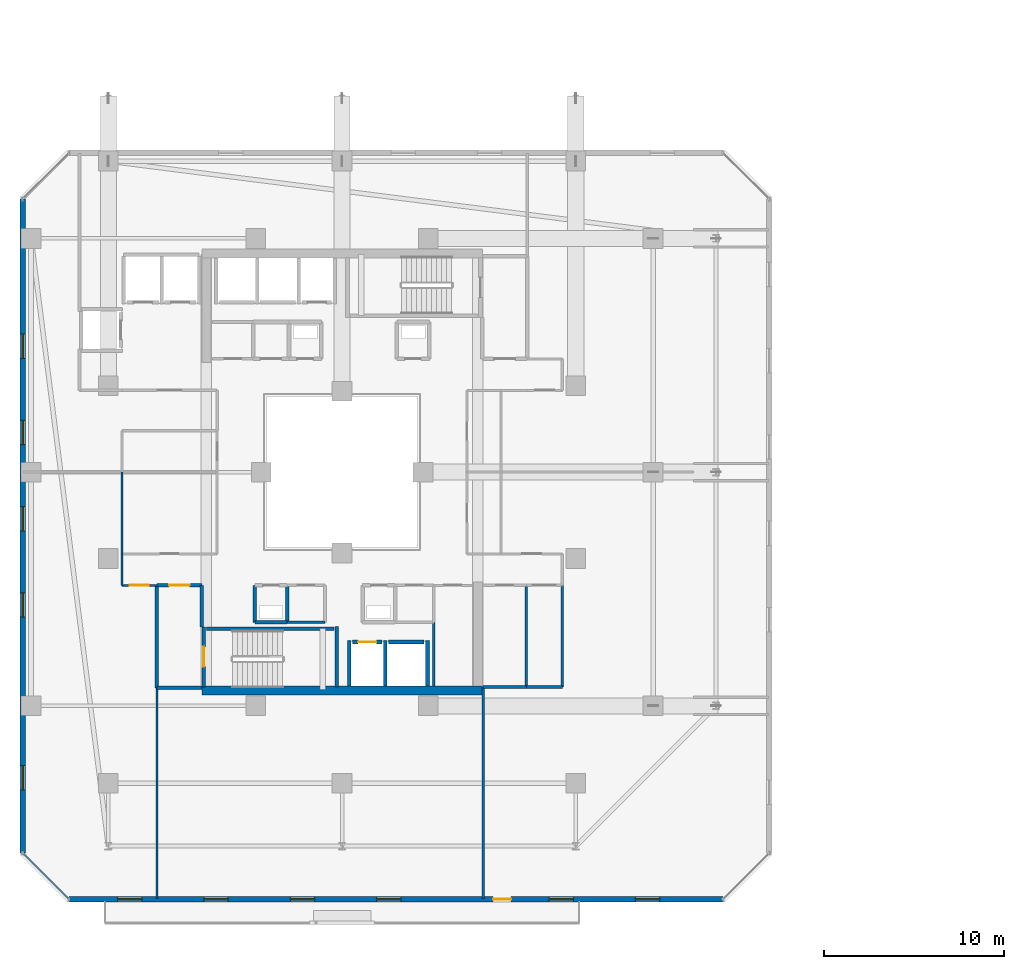
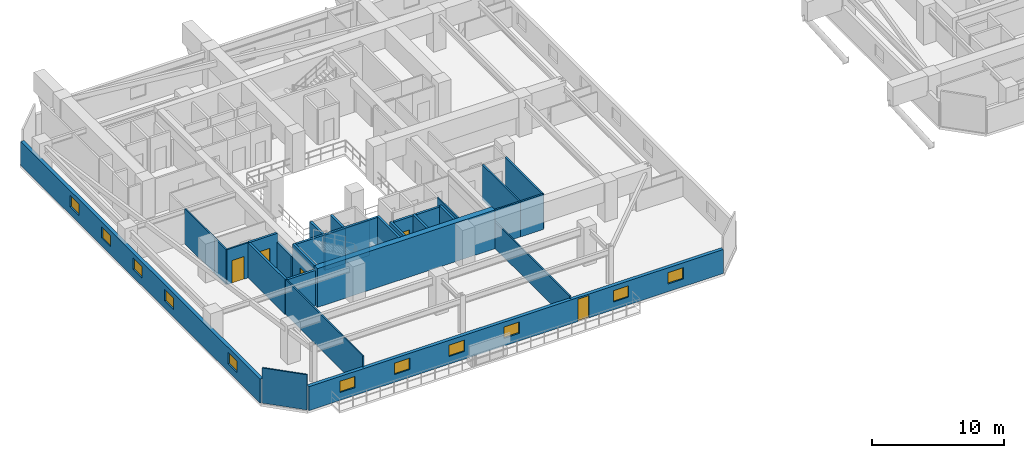
# One storey, part 22 of 36: 30 walls, 11 windows, 5 doors, 16 openings.
"""IFC4 building model written with IfcOpenShell, lengths in metres."""

from ifc_helpers import new_model, si_unit, direction, frame, frame_2d, origin, place, context, subcontext, project, spatial, rectangle, extrude, material, layer, layer_set, type_object, element, fill, save


model = new_model("IFC4")

# Units and contexts
model_context = context("Model", 3, precision=1e-05, world=origin(), true_north=direction((0.0, 1.0)))
body_context = subcontext(model_context, "Body", "Model", "MODEL_VIEW")
ifc_project = project(units=[si_unit("LENGTHUNIT", "METRE"), si_unit("AREAUNIT", "SQUARE_METRE"), si_unit("VOLUMEUNIT", "CUBIC_METRE"), si_unit("PLANEANGLEUNIT", "RADIAN"), si_unit("MASSUNIT", "GRAM", prefix="KILO")], contexts=[model_context])

# Site, building, storey
site_placement = place(None, origin())
site = spatial("IfcSite", under=ifc_project, at=site_placement, CompositionType="ELEMENT")
building_placement = place(site_placement, origin())
building = spatial("IfcBuilding", under=site, at=building_placement, Name="Thornwick Lancets Civic Towers", CompositionType="ELEMENT")
storey_placement = place(building_placement, frame((0.0, 0.0, 170.699951171875)))
storey = spatial("IfcBuildingStorey", under=building, at=storey_placement, Name="L45", CompositionType="ELEMENT", Elevation=170.699951171875)

# Wall, opening, door
ifc_material_1 = material(Name="Concrete blockwork C40/50", Category="masonry")
ifc_layer_1 = layer(ifc_material_1, 0.199951171875, Name="Concrete blockwork C40/50")
ifc_layer_set_1 = layer_set([ifc_layer_1], Name="Concrete blockwork C40/50")
wall_type_1 = type_object("IfcWallType", Name="WALL_COMP_200", PredefinedType="STANDARD", material=ifc_layer_set_1)
wall_1_placement = place(storey_placement, frame((26.080078125, 17.550048828125, 0.0), z_axis=(0.0, 0.0, 1.0), x_axis=(1.0, 0.0, 0.0)))
wall_1 = element("IfcWall", 1, at=wall_1_placement, inside=storey, type_object=wall_type_1, Name="L45 Hoistway Front Wall FL-A1", PredefinedType="STANDARD", context=body_context, shape_type="SweptSolid", body=[
    extrude(rectangle(XDim=1.639892578125, YDim=0.199951171875, at=frame_2d((0.81982421875, 0.0))), origin(), (0.0, 0.0, 1.0), 3.260009765625),
])
opening_1_placement = place(wall_1_placement, frame((0.31005859375, 0.0, 0.0)))
opening_1 = element("IfcOpeningElement", 2, at=opening_1_placement, cuts=wall_1, Name="Opening LD-FL-A1", PredefinedType="OPENING", context=body_context, shape_type="SweptSolid", body=[
    extrude(rectangle(XDim=1.02001953125, YDim=2.06005859375, at=frame_2d((0.510009765625, 1.030029296875))), frame((0.0, 0.10986328125, 0.0), z_axis=(0.0, -1.0, 0.0), x_axis=(1.0, 0.0, 0.0)), (0.0, 0.0, 1.0), 0.219970703125),
])
ifc_material_2 = material(Name="Brushed bronze stainless steel", Category="steel")
door_type_1 = type_object("IfcDoorType", Name="DOOR_LIFT_SLIDE", OperationType="SLIDING_TO_LEFT", PredefinedType="DOOR", material=ifc_material_2)
door_1_placement = place(opening_1_placement, origin())
door_1 = element("IfcDoor", 3, at=door_1_placement, inside=storey, type_object=door_type_1, Name="L45 Sliding Lift Landing Door LD-FL-A1", OperationType="SLIDING_TO_LEFT", OverallHeight=2.06005859375, OverallWidth=1.02001953125, PredefinedType="DOOR", context=body_context, shape_type="SweptSolid", body=[
    extrude(rectangle(XDim=1.02001953125, YDim=2.06005859375, at=frame_2d((0.510009765625, 1.030029296875))), frame((0.0, 0.02490234375, 0.0), z_axis=(0.0, -1.0, 0.0), x_axis=(1.0, 0.0, 0.0)), (0.0, 0.0, 1.0), 0.050048828125),
])
fill(opening_1, door_1)

# Walls
wall_2_placement = place(storey_placement, frame((28.080078125, 17.550048828125, 0.0), z_axis=(0.0, 0.0, 1.0), x_axis=(1.0, 0.0, 0.0)))
element("IfcWall", 4, at=wall_2_placement, inside=storey, type_object=wall_type_1, Name="L45 Hoistway Front Wall PL-AH1", PredefinedType="STANDARD", context=body_context, shape_type="SweptSolid", body=[
    extrude(rectangle(XDim=1.989990234375, YDim=0.199951171875, at=frame_2d((0.9951171875, 0.0))), origin(), (0.0, 0.0, 1.0), 3.260009765625),
])
for number, where, z_axis, x_axis, name in (
    (5, (27.89990234375, 15.112060546875, 0.0), (0.0, 0.0, 1.0), (0.0, 1.0, 0.0), "L45 Hoistway Shaft Wall FL-A1 E"),
    (6, (25.89990234375, 15.112060546875, 0.0), (0.0, 0.0, 1.0), (0.0, 1.0, 0.0), "L45 Hoistway Shaft Wall FL-A1 W"),
    (7, (30.25, 15.112060546875, 0.0), (0.0, 0.0, 1.0), (0.0, 1.0, 0.0), "L45 Hoistway Shaft Wall PL-AH1 E"),
):
    element("IfcWall", number, at=place(storey_placement, frame(where, z_axis=z_axis, x_axis=x_axis)), inside=storey, type_object=wall_type_1, Name=name, PredefinedType="STANDARD", context=body_context, shape_type="SweptSolid", body=[
        extrude(rectangle(XDim=2.535888671875, YDim=0.199951171875, at=frame_2d((1.26806640625, 0.0))), origin(), (0.0, 0.0, 1.0), 3.260009765625),
    ])
wall_3_placement = place(storey_placement, frame((15.199951171875, 15.0, 0.0), z_axis=(0.0, 0.0, 1.0), x_axis=(1.0, 0.0, 0.0)))
element("IfcWall", 8, at=wall_3_placement, inside=storey, type_object=wall_type_1, Name="L45 Partition L45-A-FFLOB1 E1", PredefinedType="STANDARD", context=body_context, shape_type="SweptSolid", body=[
    extrude(rectangle(XDim=2.5, YDim=0.199951171875, at=frame_2d((1.25, 0.0))), origin(), (0.0, 0.0, 1.0), 3.260009765625),
])
wall_4_placement = place(storey_placement, frame((17.699951171875, 18.39990234375, 0.0), z_axis=(0.0, 0.0, 1.0), x_axis=(0.0, 1.0, 0.0)))
element("IfcWall", 9, at=wall_4_placement, inside=storey, type_object=wall_type_1, Name="L45 Partition L45-A-FFLOB1 E2", PredefinedType="STANDARD", context=body_context, shape_type="SweptSolid", body=[
    extrude(rectangle(XDim=2.300048828125, YDim=0.199951171875, at=frame_2d((1.14990234375, 0.0))), origin(), (0.0, 0.0, 1.0), 2.465087890625),
])

# Wall, opening, door
wall_5_placement = place(storey_placement, frame((17.699951171875, 20.699951171875, 0.0), z_axis=(0.0, 0.0, 1.0), x_axis=(-1.0, 0.0, 0.0)))
wall_5 = element("IfcWall", 10, at=wall_5_placement, inside=storey, type_object=wall_type_1, Name="L45 Partition L45-A-FFLOB1 E3", PredefinedType="STANDARD", context=body_context, shape_type="SweptSolid", body=[
    extrude(rectangle(XDim=2.5, YDim=0.199951171875, at=frame_2d((1.25, 0.0))), origin(), (0.0, 0.0, 1.0), 3.260009765625),
])
opening_2_placement = place(wall_5_placement, frame((0.675048828125, 0.0, 0.0)))
opening_2 = element("IfcOpeningElement", 11, at=opening_2_placement, cuts=wall_5, Name="Opening D-L45-2003", PredefinedType="OPENING", context=body_context, shape_type="SweptSolid", body=[
    extrude(rectangle(XDim=1.14990234375, YDim=2.10009765625, at=frame_2d((0.574951171875, 1.050048828125))), frame((0.0, 0.10986328125, 0.0), z_axis=(0.0, -1.0, 0.0), x_axis=(1.0, 0.0, 0.0)), (0.0, 0.0, 1.0), 0.219970703125),
])
ifc_material_3 = material(Name="Glazed fire-resisting steel", Category="steel")
door_type_2 = type_object("IfcDoorType", Name="DOOR_LOBBY_FD60", OperationType="NOTDEFINED", PredefinedType="DOOR", material=ifc_material_3)
door_2_placement = place(opening_2_placement, origin())
door_2 = element("IfcDoor", 12, at=door_2_placement, inside=storey, type_object=door_type_2, Name="L45 South Firefighting Lobby 1 Door", OperationType="SINGLE_SWING_RIGHT", OverallHeight=2.10009765625, OverallWidth=1.14990234375, PredefinedType="DOOR", context=body_context, shape_type="SweptSolid", body=[
    extrude(rectangle(XDim=1.14990234375, YDim=2.10009765625, at=frame_2d((0.574951171875, 1.050048828125))), frame((0.0, 0.02490234375, 0.0), z_axis=(0.0, -1.0, 0.0), x_axis=(1.0, 0.0, 0.0)), (0.0, 0.0, 1.0), 0.050048828125),
])
fill(opening_2, door_2)

# Walls
wall_6_placement = place(storey_placement, frame((15.199951171875, 20.699951171875, 0.0), z_axis=(0.0, 0.0, 1.0), x_axis=(0.0, -1.0, 0.0)))
element("IfcWall", 13, at=wall_6_placement, inside=storey, type_object=wall_type_1, Name="L45 Partition L45-A-FFLOB1 E4", PredefinedType="STANDARD", context=body_context, shape_type="SweptSolid", body=[
    extrude(rectangle(XDim=5.699951171875, YDim=0.199951171875, at=frame_2d((2.85009765625, 0.0))), origin(), (0.0, 0.0, 1.0), 3.260009765625),
])
wall_7_placement = place(storey_placement, frame((20.64990234375, 18.64990234375, 0.0), z_axis=(0.0, 0.0, 1.0), x_axis=(1.0, 0.0, 0.0)))
element("IfcWall", 14, at=wall_7_placement, inside=storey, type_object=wall_type_1, Name="L45 Partition L45-A-RISER1 E1", PredefinedType="STANDARD", context=body_context, shape_type="SweptSolid", body=[
    extrude(rectangle(XDim=1.800048828125, YDim=0.199951171875, at=frame_2d((0.89990234375, 0.0))), origin(), (0.0, 0.0, 1.0), 3.260009765625),
])
for number, where, z_axis, x_axis, name in (
    (15, (22.449951171875, 18.64990234375, 0.0), (0.0, 0.0, 1.0), (0.0, 1.0, 0.0), "L45 Partition L45-A-RISER1 E2"),
    (16, (20.64990234375, 20.699951171875, 0.0), (0.0, 0.0, 1.0), (0.0, -1.0, 0.0), "L45 Partition L45-A-RISER1 E4"),
):
    element("IfcWall", number, at=place(storey_placement, frame(where, z_axis=z_axis, x_axis=x_axis)), inside=storey, type_object=wall_type_1, Name=name, PredefinedType="STANDARD", context=body_context, shape_type="SweptSolid", body=[
        extrude(rectangle(XDim=2.050048828125, YDim=0.199951171875, at=frame_2d((1.02490234375, 0.0))), origin(), (0.0, 0.0, 1.0), 3.260009765625),
    ])
ifc_material_4 = material(Name="Concrete C50/60", Category="concrete")
ifc_layer_2 = layer(ifc_material_4, 0.5, Name="Concrete C50/60")
ifc_layer_set_2 = layer_set([ifc_layer_2], Name="Concrete C50/60")
wall_type_2 = type_object("IfcWallType", Name="WALL_CORE_500", PredefinedType="SHEAR", material=ifc_layer_set_2)
wall_8_placement = place(storey_placement, frame((17.699951171875, 14.85009765625, 0.0), z_axis=(0.0, 0.0, 1.0), x_axis=(1.0, 0.0, 0.0)))
element("IfcWall", 17, at=wall_8_placement, inside=storey, type_object=wall_type_2, Name="L45 Split Core A1 Shear Wall S", PredefinedType="SHEAR", context=body_context, shape_type="SweptSolid", body=[
    extrude(rectangle(XDim=15.60009765625, YDim=0.5, at=frame_2d((7.800048828125, 0.0))), origin(), (0.0, 0.0, 1.0), 3.60009765625),
])

# Wall, openings, door, windows
ifc_material_5 = material(Name="Insulated russet terracotta rainscreen on concrete C40/50", Category="masonry")
ifc_layer_3 = layer(ifc_material_5, 0.300048828125, Name="Insulated russet terracotta rainscreen on concrete C40/50")
ifc_layer_set_3 = layer_set([ifc_layer_3], Name="Insulated russet terracotta rainscreen on concrete C40/50")
wall_type_3 = type_object("IfcWallType", Name="WALL_EXT_RUSSET_300", PredefinedType="STANDARD", material=ifc_layer_set_3)
wall_9_placement = place(storey_placement, frame((10.318603515625, 3.2353515625, 0.0), z_axis=(0.0, 0.0, 1.0), x_axis=(1.0, 0.0, 0.0)))
wall_9 = element("IfcWall", 18, at=wall_9_placement, inside=storey, type_object=wall_type_3, Name="L45 Tower A Terracotta Facade Wall E0", PredefinedType="STANDARD", context=body_context, shape_type="SweptSolid", body=[
    extrude(rectangle(XDim=36.36279296875, YDim=0.300048828125, at=frame_2d((18.181396484375, 0.0))), origin(), (0.0, 0.0, 1.0), 2.219970703125),
])
opening_3_placement = place(wall_9_placement, frame((23.581298828125, 0.0, 0.0)))
opening_3 = element("IfcOpeningElement", 19, at=opening_3_placement, cuts=wall_9, Name="Opening D-BL-L45-AS", PredefinedType="OPENING", context=body_context, shape_type="SweptSolid", body=[
    extrude(rectangle(XDim=1.0, YDim=2.080078125, at=frame_2d((0.5, 1.0400390625))), frame((0.0, 0.16015625, 0.0), z_axis=(0.0, -1.0, 0.0), x_axis=(1.0, 0.0, 0.0)), (0.0, 0.0, 1.0), 0.320068359375),
])
opening_4_placement = place(wall_9_placement, frame((2.699951171875, 0.0, 0.719970703125)))
opening_4 = element("IfcOpeningElement", 20, at=opening_4_placement, cuts=wall_9, Name="Opening WL-03", PredefinedType="OPENING", context=body_context, shape_type="SweptSolid", body=[
    extrude(rectangle(XDim=1.35009765625, YDim=1.050048828125, at=frame_2d((0.675048828125, 0.52490234375))), frame((0.0, 0.16015625, 0.0), z_axis=(0.0, -1.0, 0.0), x_axis=(1.0, 0.0, 0.0)), (0.0, 0.0, 1.0), 0.320068359375),
])
opening_5_placement = place(wall_9_placement, frame((7.5, 0.0, 0.719970703125)))
opening_5 = element("IfcOpeningElement", 21, at=opening_5_placement, cuts=wall_9, Name="Opening WL-03", PredefinedType="OPENING", context=body_context, shape_type="SweptSolid", body=[
    extrude(rectangle(XDim=1.35009765625, YDim=1.050048828125, at=frame_2d((0.675048828125, 0.52490234375))), frame((0.0, 0.16015625, 0.0), z_axis=(0.0, -1.0, 0.0), x_axis=(1.0, 0.0, 0.0)), (0.0, 0.0, 1.0), 0.320068359375),
])
opening_6_placement = place(wall_9_placement, frame((12.300048828125, 0.0, 0.719970703125)))
opening_6 = element("IfcOpeningElement", 22, at=opening_6_placement, cuts=wall_9, Name="Opening WL-03", PredefinedType="OPENING", context=body_context, shape_type="SweptSolid", body=[
    extrude(rectangle(XDim=1.35009765625, YDim=1.050048828125, at=frame_2d((0.675048828125, 0.52490234375))), frame((0.0, 0.16015625, 0.0), z_axis=(0.0, -1.0, 0.0), x_axis=(1.0, 0.0, 0.0)), (0.0, 0.0, 1.0), 0.320068359375),
])
opening_7_placement = place(wall_9_placement, frame((17.10009765625, 0.0, 0.719970703125)))
opening_7 = element("IfcOpeningElement", 23, at=opening_7_placement, cuts=wall_9, Name="Opening WL-03", PredefinedType="OPENING", context=body_context, shape_type="SweptSolid", body=[
    extrude(rectangle(XDim=1.35009765625, YDim=1.050048828125, at=frame_2d((0.675048828125, 0.52490234375))), frame((0.0, 0.16015625, 0.0), z_axis=(0.0, -1.0, 0.0), x_axis=(1.0, 0.0, 0.0)), (0.0, 0.0, 1.0), 0.320068359375),
])
opening_8_placement = place(wall_9_placement, frame((26.699951171875, 0.0, 0.719970703125)))
opening_8 = element("IfcOpeningElement", 24, at=opening_8_placement, cuts=wall_9, Name="Opening WL-03", PredefinedType="OPENING", context=body_context, shape_type="SweptSolid", body=[
    extrude(rectangle(XDim=1.35009765625, YDim=1.050048828125, at=frame_2d((0.675048828125, 0.52490234375))), frame((0.0, 0.16015625, 0.0), z_axis=(0.0, -1.0, 0.0), x_axis=(1.0, 0.0, 0.0)), (0.0, 0.0, 1.0), 0.320068359375),
])
opening_9_placement = place(wall_9_placement, frame((31.5, 0.0, 0.719970703125)))
opening_9 = element("IfcOpeningElement", 25, at=opening_9_placement, cuts=wall_9, Name="Opening WL-03", PredefinedType="OPENING", context=body_context, shape_type="SweptSolid", body=[
    extrude(rectangle(XDim=1.35009765625, YDim=1.050048828125, at=frame_2d((0.675048828125, 0.52490234375))), frame((0.0, 0.16015625, 0.0), z_axis=(0.0, -1.0, 0.0), x_axis=(1.0, 0.0, 0.0)), (0.0, 0.0, 1.0), 0.320068359375),
])
ifc_material_6 = material(Name="Thermally broken glazed loggia doorset")
door_type_3 = type_object("IfcDoorType", Name="DOOR_BALC_1000", OperationType="NOTDEFINED", PredefinedType="DOOR", material=ifc_material_6)
door_3_placement = place(opening_3_placement, origin())
door_3 = element("IfcDoor", 26, at=door_3_placement, inside=storey, type_object=door_type_3, Name="L45 Tower A Loggia Balcony Door S", OperationType="SINGLE_SWING_RIGHT", OverallHeight=2.080078125, OverallWidth=1.0, PredefinedType="DOOR", context=body_context, shape_type="SweptSolid", body=[
    extrude(rectangle(XDim=1.0, YDim=2.080078125, at=frame_2d((0.5, 1.0400390625))), frame((0.0, 0.02490234375, 0.0), z_axis=(0.0, -1.0, 0.0), x_axis=(1.0, 0.0, 0.0)), (0.0, 0.0, 1.0), 0.050048828125),
])
fill(opening_3, door_3)
ifc_material_7 = material(Name="Clear low-e double glazing clerestory lancet", Category="glass")
window_type = type_object("IfcWindowType", Name="WIN_LANCET_1350", PartitioningType="SINGLE_PANEL", PredefinedType="WINDOW", material=ifc_material_7)
window_1_placement = place(opening_4_placement, origin())
window_1 = element("IfcWindow", 27, at=window_1_placement, inside=storey, type_object=window_type, Name="L45 Tower A Staggered Lancet Window E0-1", OverallHeight=1.050048828125, OverallWidth=1.35009765625, PartitioningType="SINGLE_PANEL", PredefinedType="WINDOW", context=body_context, shape_type="SweptSolid", body=[
    extrude(rectangle(XDim=1.35009765625, YDim=1.050048828125, at=frame_2d((0.675048828125, 0.52490234375))), frame((0.0, 0.030029296875, 0.0), z_axis=(0.0, -1.0, 0.0), x_axis=(1.0, 0.0, 0.0)), (0.0, 0.0, 1.0), 0.06005859375),
])
fill(opening_4, window_1)
window_2_placement = place(opening_5_placement, origin())
window_2 = element("IfcWindow", 28, at=window_2_placement, inside=storey, type_object=window_type, Name="L45 Tower A Staggered Lancet Window E0-2", OverallHeight=1.050048828125, OverallWidth=1.35009765625, PartitioningType="SINGLE_PANEL", PredefinedType="WINDOW", context=body_context, shape_type="SweptSolid", body=[
    extrude(rectangle(XDim=1.35009765625, YDim=1.050048828125, at=frame_2d((0.675048828125, 0.52490234375))), frame((0.0, 0.030029296875, 0.0), z_axis=(0.0, -1.0, 0.0), x_axis=(1.0, 0.0, 0.0)), (0.0, 0.0, 1.0), 0.06005859375),
])
fill(opening_5, window_2)
window_3_placement = place(opening_6_placement, origin())
window_3 = element("IfcWindow", 29, at=window_3_placement, inside=storey, type_object=window_type, Name="L45 Tower A Staggered Lancet Window E0-3", OverallHeight=1.050048828125, OverallWidth=1.35009765625, PartitioningType="SINGLE_PANEL", PredefinedType="WINDOW", context=body_context, shape_type="SweptSolid", body=[
    extrude(rectangle(XDim=1.35009765625, YDim=1.050048828125, at=frame_2d((0.675048828125, 0.52490234375))), frame((0.0, 0.030029296875, 0.0), z_axis=(0.0, -1.0, 0.0), x_axis=(1.0, 0.0, 0.0)), (0.0, 0.0, 1.0), 0.06005859375),
])
fill(opening_6, window_3)
window_4_placement = place(opening_7_placement, origin())
window_4 = element("IfcWindow", 30, at=window_4_placement, inside=storey, type_object=window_type, Name="L45 Tower A Staggered Lancet Window E0-4", OverallHeight=1.050048828125, OverallWidth=1.35009765625, PartitioningType="SINGLE_PANEL", PredefinedType="WINDOW", context=body_context, shape_type="SweptSolid", body=[
    extrude(rectangle(XDim=1.35009765625, YDim=1.050048828125, at=frame_2d((0.675048828125, 0.52490234375))), frame((0.0, 0.030029296875, 0.0), z_axis=(0.0, -1.0, 0.0), x_axis=(1.0, 0.0, 0.0)), (0.0, 0.0, 1.0), 0.06005859375),
])
fill(opening_7, window_4)
window_5_placement = place(opening_8_placement, origin())
window_5 = element("IfcWindow", 31, at=window_5_placement, inside=storey, type_object=window_type, Name="L45 Tower A Staggered Lancet Window E0-5", OverallHeight=1.050048828125, OverallWidth=1.35009765625, PartitioningType="SINGLE_PANEL", PredefinedType="WINDOW", context=body_context, shape_type="SweptSolid", body=[
    extrude(rectangle(XDim=1.35009765625, YDim=1.050048828125, at=frame_2d((0.675048828125, 0.52490234375))), frame((0.0, 0.030029296875, 0.0), z_axis=(0.0, -1.0, 0.0), x_axis=(1.0, 0.0, 0.0)), (0.0, 0.0, 1.0), 0.06005859375),
])
fill(opening_8, window_5)
window_6_placement = place(opening_9_placement, origin())
window_6 = element("IfcWindow", 32, at=window_6_placement, inside=storey, type_object=window_type, Name="L45 Tower A Staggered Lancet Window E0-6", OverallHeight=1.050048828125, OverallWidth=1.35009765625, PartitioningType="SINGLE_PANEL", PredefinedType="WINDOW", context=body_context, shape_type="SweptSolid", body=[
    extrude(rectangle(XDim=1.35009765625, YDim=1.050048828125, at=frame_2d((0.675048828125, 0.52490234375))), frame((0.0, 0.030029296875, 0.0), z_axis=(0.0, -1.0, 0.0), x_axis=(1.0, 0.0, 0.0)), (0.0, 0.0, 1.0), 0.06005859375),
])
fill(opening_9, window_6)

# Wall, openings, windows
wall_10_placement = place(storey_placement, frame((7.7353515625, 42.181396484375, 0.0), z_axis=(0.0, 0.0, 1.0), x_axis=(0.0, -1.0, 0.0)))
wall_10 = element("IfcWall", 33, at=wall_10_placement, inside=storey, type_object=wall_type_3, Name="L45 Tower A Terracotta Facade Wall E6", PredefinedType="STANDARD", context=body_context, shape_type="SweptSolid", body=[
    extrude(rectangle(XDim=36.36279296875, YDim=0.300048828125, at=frame_2d((18.181396484375, 0.0))), origin(), (0.0, 0.0, 1.0), 2.219970703125),
])
opening_10_placement = place(wall_10_placement, frame((7.5, 0.0, 0.719970703125)))
opening_10 = element("IfcOpeningElement", 34, at=opening_10_placement, cuts=wall_10, Name="Opening WL-03", PredefinedType="OPENING", context=body_context, shape_type="SweptSolid", body=[
    extrude(rectangle(XDim=1.35009765625, YDim=1.050048828125, at=frame_2d((0.675048828125, 0.52490234375))), frame((0.0, 0.16015625, 0.0), z_axis=(0.0, -1.0, 0.0), x_axis=(1.0, 0.0, 0.0)), (0.0, 0.0, 1.0), 0.320068359375),
])
opening_11_placement = place(wall_10_placement, frame((12.300048828125, 0.0, 0.719970703125)))
opening_11 = element("IfcOpeningElement", 35, at=opening_11_placement, cuts=wall_10, Name="Opening WL-03", PredefinedType="OPENING", context=body_context, shape_type="SweptSolid", body=[
    extrude(rectangle(XDim=1.35009765625, YDim=1.050048828125, at=frame_2d((0.675048828125, 0.52490234375))), frame((0.0, 0.16015625, 0.0), z_axis=(0.0, -1.0, 0.0), x_axis=(1.0, 0.0, 0.0)), (0.0, 0.0, 1.0), 0.320068359375),
])
opening_12_placement = place(wall_10_placement, frame((17.10009765625, 0.0, 0.719970703125)))
opening_12 = element("IfcOpeningElement", 36, at=opening_12_placement, cuts=wall_10, Name="Opening WL-03", PredefinedType="OPENING", context=body_context, shape_type="SweptSolid", body=[
    extrude(rectangle(XDim=1.35009765625, YDim=1.050048828125, at=frame_2d((0.675048828125, 0.52490234375))), frame((0.0, 0.16015625, 0.0), z_axis=(0.0, -1.0, 0.0), x_axis=(1.0, 0.0, 0.0)), (0.0, 0.0, 1.0), 0.320068359375),
])
opening_13_placement = place(wall_10_placement, frame((21.89990234375, 0.0, 0.719970703125)))
opening_13 = element("IfcOpeningElement", 37, at=opening_13_placement, cuts=wall_10, Name="Opening WL-03", PredefinedType="OPENING", context=body_context, shape_type="SweptSolid", body=[
    extrude(rectangle(XDim=1.35009765625, YDim=1.050048828125, at=frame_2d((0.675048828125, 0.52490234375))), frame((0.0, 0.16015625, 0.0), z_axis=(0.0, -1.0, 0.0), x_axis=(1.0, 0.0, 0.0)), (0.0, 0.0, 1.0), 0.320068359375),
])
opening_14_placement = place(wall_10_placement, frame((31.5, 0.0, 0.719970703125)))
opening_14 = element("IfcOpeningElement", 38, at=opening_14_placement, cuts=wall_10, Name="Opening WL-03", PredefinedType="OPENING", context=body_context, shape_type="SweptSolid", body=[
    extrude(rectangle(XDim=1.35009765625, YDim=1.050048828125, at=frame_2d((0.675048828125, 0.52490234375))), frame((0.0, 0.16015625, 0.0), z_axis=(0.0, -1.0, 0.0), x_axis=(1.0, 0.0, 0.0)), (0.0, 0.0, 1.0), 0.320068359375),
])
window_7_placement = place(opening_10_placement, origin())
window_7 = element("IfcWindow", 39, at=window_7_placement, inside=storey, type_object=window_type, Name="L45 Tower A Staggered Lancet Window E6-1", OverallHeight=1.050048828125, OverallWidth=1.35009765625, PartitioningType="SINGLE_PANEL", PredefinedType="WINDOW", context=body_context, shape_type="SweptSolid", body=[
    extrude(rectangle(XDim=1.35009765625, YDim=1.050048828125, at=frame_2d((0.675048828125, 0.52490234375))), frame((0.0, 0.030029296875, 0.0), z_axis=(0.0, -1.0, 0.0), x_axis=(1.0, 0.0, 0.0)), (0.0, 0.0, 1.0), 0.06005859375),
])
fill(opening_10, window_7)
window_8_placement = place(opening_11_placement, origin())
window_8 = element("IfcWindow", 40, at=window_8_placement, inside=storey, type_object=window_type, Name="L45 Tower A Staggered Lancet Window E6-2", OverallHeight=1.050048828125, OverallWidth=1.35009765625, PartitioningType="SINGLE_PANEL", PredefinedType="WINDOW", context=body_context, shape_type="SweptSolid", body=[
    extrude(rectangle(XDim=1.35009765625, YDim=1.050048828125, at=frame_2d((0.675048828125, 0.52490234375))), frame((0.0, 0.030029296875, 0.0), z_axis=(0.0, -1.0, 0.0), x_axis=(1.0, 0.0, 0.0)), (0.0, 0.0, 1.0), 0.06005859375),
])
fill(opening_11, window_8)
window_9_placement = place(opening_12_placement, origin())
window_9 = element("IfcWindow", 41, at=window_9_placement, inside=storey, type_object=window_type, Name="L45 Tower A Staggered Lancet Window E6-3", OverallHeight=1.050048828125, OverallWidth=1.35009765625, PartitioningType="SINGLE_PANEL", PredefinedType="WINDOW", context=body_context, shape_type="SweptSolid", body=[
    extrude(rectangle(XDim=1.35009765625, YDim=1.050048828125, at=frame_2d((0.675048828125, 0.52490234375))), frame((0.0, 0.030029296875, 0.0), z_axis=(0.0, -1.0, 0.0), x_axis=(1.0, 0.0, 0.0)), (0.0, 0.0, 1.0), 0.06005859375),
])
fill(opening_12, window_9)
window_10_placement = place(opening_13_placement, origin())
window_10 = element("IfcWindow", 42, at=window_10_placement, inside=storey, type_object=window_type, Name="L45 Tower A Staggered Lancet Window E6-4", OverallHeight=1.050048828125, OverallWidth=1.35009765625, PartitioningType="SINGLE_PANEL", PredefinedType="WINDOW", context=body_context, shape_type="SweptSolid", body=[
    extrude(rectangle(XDim=1.35009765625, YDim=1.050048828125, at=frame_2d((0.675048828125, 0.52490234375))), frame((0.0, 0.030029296875, 0.0), z_axis=(0.0, -1.0, 0.0), x_axis=(1.0, 0.0, 0.0)), (0.0, 0.0, 1.0), 0.06005859375),
])
fill(opening_13, window_10)
window_11_placement = place(opening_14_placement, origin())
window_11 = element("IfcWindow", 43, at=window_11_placement, inside=storey, type_object=window_type, Name="L45 Tower A Staggered Lancet Window E6-5", OverallHeight=1.050048828125, OverallWidth=1.35009765625, PartitioningType="SINGLE_PANEL", PredefinedType="WINDOW", context=body_context, shape_type="SweptSolid", body=[
    extrude(rectangle(XDim=1.35009765625, YDim=1.050048828125, at=frame_2d((0.675048828125, 0.52490234375))), frame((0.0, 0.030029296875, 0.0), z_axis=(0.0, -1.0, 0.0), x_axis=(1.0, 0.0, 0.0)), (0.0, 0.0, 1.0), 0.06005859375),
])
fill(opening_14, window_11)

# Walls
ifc_material_8 = material(Name="Acoustic gypsum board partition")
ifc_layer_4 = layer(ifc_material_8, 0.1201171875, Name="Acoustic gypsum board partition")
ifc_layer_set_4 = layer_set([ifc_layer_4], Name="Acoustic gypsum board partition")
wall_type_4 = type_object("IfcWallType", Name="WALL_PART_120", PredefinedType="PARTITIONING", material=ifc_layer_set_4)
wall_11_placement = place(storey_placement, frame((30.60009765625, 15.10009765625, 0.0), z_axis=(0.0, 0.0, 1.0), x_axis=(0.0, 1.0, 0.0)))
element("IfcWall", 44, at=wall_11_placement, inside=storey, type_object=wall_type_4, Name="L45 Partition L45-A-ITR E3", PredefinedType="PARTITIONING", context=body_context, shape_type="SweptSolid", body=[
    extrude(rectangle(XDim=3.5498046875, YDim=0.1201171875, at=frame_2d((1.77490234375, 0.0))), origin(), (0.0, 0.0, 1.0), 3.260009765625),
])
wall_12_placement = place(storey_placement, frame((13.25, 27.0, 0.0), z_axis=(0.0, 0.0, 1.0), x_axis=(0.0, -1.0, 0.0)))
element("IfcWall", 45, at=wall_12_placement, inside=storey, type_object=wall_type_4, Name="L45 Partition L45-A-W1 E1", PredefinedType="PARTITIONING", context=body_context, shape_type="SweptSolid", body=[
    extrude(rectangle(XDim=4.550048828125, YDim=0.1201171875, at=frame_2d((2.27490234375, 0.0))), origin(), (0.0, 0.0, 1.0), 3.260009765625),
])
wall_13_placement = place(storey_placement, frame((13.25, 22.449951171875, 0.0), z_axis=(0.0, 0.0, 1.0), x_axis=(0.0, -1.0, 0.0)))
element("IfcWall", 46, at=wall_13_placement, inside=storey, type_object=wall_type_4, Name="L45 Partition L45-A-W1 E2", PredefinedType="PARTITIONING", context=body_context, shape_type="SweptSolid", body=[
    extrude(rectangle(XDim=1.75, YDim=0.1201171875, at=frame_2d((0.875, 0.0))), origin(), (0.0, 0.0, 1.0), 3.260009765625),
])

# Wall, opening, door
wall_14_placement = place(storey_placement, frame((13.25, 20.699951171875, 0.0), z_axis=(0.0, 0.0, 1.0), x_axis=(1.0, 0.0, 0.0)))
wall_14 = element("IfcWall", 47, at=wall_14_placement, inside=storey, type_object=wall_type_4, Name="L45 Partition L45-A-W1 E3", PredefinedType="PARTITIONING", context=body_context, shape_type="SweptSolid", body=[
    extrude(rectangle(XDim=1.949951171875, YDim=0.1201171875, at=frame_2d((0.97509765625, 0.0))), origin(), (0.0, 0.0, 1.0), 3.260009765625),
])
opening_15_placement = place(wall_14_placement, frame((0.449951171875, 0.0, 0.0)))
opening_15 = element("IfcOpeningElement", 48, at=opening_15_placement, cuts=wall_14, Name="Opening D-L45-2027", PredefinedType="OPENING", context=body_context, shape_type="SweptSolid", body=[
    extrude(rectangle(XDim=1.050048828125, YDim=2.10009765625, at=frame_2d((0.52490234375, 1.050048828125))), frame((0.0, 0.070068359375, 0.0), z_axis=(0.0, -1.0, 0.0), x_axis=(1.0, 0.0, 0.0)), (0.0, 0.0, 1.0), 0.14013671875),
])
ifc_material_9 = material(Name="Glazed European oak executive doorset")
door_type_4 = type_object("IfcDoorType", Name="DOOR_OFFICE_1050", OperationType="NOTDEFINED", PredefinedType="DOOR", material=ifc_material_9)
door_4_placement = place(opening_15_placement, origin())
door_4 = element("IfcDoor", 49, at=door_4_placement, inside=storey, type_object=door_type_4, Name="L45 Tower A Ministry Directorate Office W1 Door", OperationType="SINGLE_SWING_RIGHT", OverallHeight=2.10009765625, OverallWidth=1.050048828125, PredefinedType="DOOR", context=body_context, shape_type="SweptSolid", body=[
    extrude(rectangle(XDim=1.050048828125, YDim=2.10009765625, at=frame_2d((0.52490234375, 1.050048828125))), frame((0.0, 0.02490234375, 0.0), z_axis=(0.0, -1.0, 0.0), x_axis=(1.0, 0.0, 0.0)), (0.0, 0.0, 1.0), 0.050048828125),
])
fill(opening_15, door_4)

# Walls
wall_15_placement = place(storey_placement, frame((15.199951171875, 15.0, 0.0), z_axis=(0.0, 0.0, 1.0), x_axis=(0.0, -1.0, 0.0)))
element("IfcWall", 50, at=wall_15_placement, inside=storey, type_object=wall_type_4, Name="L45 Partition L45-A-W1 E5", PredefinedType="PARTITIONING", context=body_context, shape_type="SweptSolid", body=[
    extrude(rectangle(XDim=11.719970703125, YDim=0.1201171875, at=frame_2d((5.85986328125, 0.0))), origin(), (0.0, 0.0, 1.0), 3.260009765625),
])
wall_16_placement = place(storey_placement, frame((10.274658203125, 3.280029296875, 0.0), z_axis=(0.0, 0.0, 1.0), x_axis=(-0.707106781187, 0.707106781187, 0.0)))
element("IfcWall", 51, at=wall_16_placement, inside=storey, type_object=wall_type_4, Name="L45 Partition L45-A-W1 E7", PredefinedType="PARTITIONING", context=body_context, shape_type="SweptSolid", body=[
    extrude(rectangle(XDim=3.52783203125, YDim=0.1201171875, at=frame_2d((1.763916015625, 0.0))), origin(), (0.0, 0.0, 1.0), 3.260009765625),
])
wall_17_placement = place(storey_placement, frame((33.35009765625, 3.280029296875, 0.0), z_axis=(0.0, 0.0, 1.0), x_axis=(0.0, 1.0, 0.0)))
element("IfcWall", 52, at=wall_17_placement, inside=storey, type_object=wall_type_4, Name="L45 Partition L45-A-E2 E2", PredefinedType="PARTITIONING", context=body_context, shape_type="SweptSolid", body=[
    extrude(rectangle(XDim=11.77001953125, YDim=0.1201171875, at=frame_2d((5.885009765625, 0.0))), origin(), (0.0, 0.0, 1.0), 2.465087890625),
])
ifc_material_10 = material(Name="Twin-stud acoustic gypsum board")
ifc_layer_5 = layer(ifc_material_10, 0.14990234375, Name="Twin-stud acoustic gypsum board")
ifc_layer_set_5 = layer_set([ifc_layer_5], Name="Twin-stud acoustic gypsum board")
wall_type_5 = type_object("IfcWallType", Name="WALL_PART_150", PredefinedType="PARTITIONING", material=ifc_layer_set_5)
wall_18_placement = place(storey_placement, frame((24.550048828125, 18.64990234375, 0.0), z_axis=(0.0, 0.0, 1.0), x_axis=(-1.0, 0.0, 0.0)))
element("IfcWall", 53, at=wall_18_placement, inside=storey, type_object=wall_type_5, Name="L45 Partition L45-A-MWC E2", PredefinedType="PARTITIONING", context=body_context, shape_type="SweptSolid", body=[
    extrude(rectangle(XDim=2.10009765625, YDim=0.14990234375, at=frame_2d((1.050048828125, 0.0))), origin(), (0.0, 0.0, 1.0), 3.260009765625),
])
wall_19_placement = place(storey_placement, frame((35.75, 15.050048828125, 0.0), z_axis=(0.0, 0.0, 1.0), x_axis=(-1.0, 0.0, 0.0)))
element("IfcWall", 54, at=wall_19_placement, inside=storey, type_object=wall_type_5, Name="L45 Partition L45-A-RECLAIM-L1 E1", PredefinedType="PARTITIONING", context=body_context, shape_type="SweptSolid", body=[
    extrude(rectangle(XDim=2.39990234375, YDim=0.14990234375, at=frame_2d((1.199951171875, 0.0))), origin(), (0.0, 0.0, 1.0), 3.260009765625),
])
wall_20_placement = place(storey_placement, frame((35.75, 20.699951171875, 0.0), z_axis=(0.0, 0.0, 1.0), x_axis=(0.0, -1.0, 0.0)))
element("IfcWall", 55, at=wall_20_placement, inside=storey, type_object=wall_type_5, Name="L45 Partition L45-A-RECLAIM-L1 E4", PredefinedType="PARTITIONING", context=body_context, shape_type="SweptSolid", body=[
    extrude(rectangle(XDim=5.64990234375, YDim=0.14990234375, at=frame_2d((2.824951171875, 0.0))), origin(), (0.0, 0.0, 1.0), 3.260009765625),
])
wall_21_placement = place(storey_placement, frame((37.75, 15.050048828125, 0.0), z_axis=(0.0, 0.0, 1.0), x_axis=(-1.0, 0.0, 0.0)))
element("IfcWall", 56, at=wall_21_placement, inside=storey, type_object=wall_type_5, Name="L45 Partition L45-A-RECLAIM-L2 E1", PredefinedType="PARTITIONING", context=body_context, shape_type="SweptSolid", body=[
    extrude(rectangle(XDim=2.0, YDim=0.14990234375, at=frame_2d((1.0, 0.0))), origin(), (0.0, 0.0, 1.0), 3.260009765625),
])
wall_22_placement = place(storey_placement, frame((37.75, 20.699951171875, 0.0), z_axis=(0.0, 0.0, 1.0), x_axis=(0.0, -1.0, 0.0)))
element("IfcWall", 57, at=wall_22_placement, inside=storey, type_object=wall_type_5, Name="L45 Partition L45-A-RECLAIM-L2 E4", PredefinedType="PARTITIONING", context=body_context, shape_type="SweptSolid", body=[
    extrude(rectangle(XDim=5.64990234375, YDim=0.14990234375, at=frame_2d((2.824951171875, 0.0))), origin(), (0.0, 0.0, 1.0), 3.260009765625),
])

# Wall, opening, door
ifc_material_11 = material(Name="Concrete C40/50", Category="concrete")
ifc_layer_6 = layer(ifc_material_11, 0.199951171875, Name="Concrete C40/50")
ifc_layer_set_6 = layer_set([ifc_layer_6], Name="Concrete C40/50")
wall_type_6 = type_object("IfcWallType", Name="WALL_SHAFT_200", PredefinedType="SHEAR", material=ifc_layer_set_6)
wall_23_placement = place(storey_placement, frame((17.800048828125, 15.050048828125, 0.0), z_axis=(0.0, 0.0, 1.0), x_axis=(0.0, 1.0, 0.0)))
wall_23 = element("IfcWall", 58, at=wall_23_placement, inside=storey, type_object=wall_type_6, Name="L45 ST-A1 Fire Stair Core Wall NEAR", PredefinedType="SHEAR", context=body_context, shape_type="SweptSolid", body=[
    extrude(rectangle(XDim=3.349853515625, YDim=0.199951171875, at=frame_2d((1.6748046875, 0.0))), origin(), (0.0, 0.0, 1.0), 3.60009765625),
])
opening_16_placement = place(wall_23_placement, frame((1.125, 0.0, 0.0)))
opening_16 = element("IfcOpeningElement", 59, at=opening_16_placement, cuts=wall_23, Name="Opening D-ST-A1-L45", PredefinedType="OPENING", context=body_context, shape_type="SweptSolid", body=[
    extrude(rectangle(XDim=1.10009765625, YDim=2.10009765625, at=frame_2d((0.550048828125, 1.050048828125))), frame((0.0, 0.10986328125, 0.0), z_axis=(0.0, -1.0, 0.0), x_axis=(1.0, 0.0, 0.0)), (0.0, 0.0, 1.0), 0.219970703125),
])
ifc_material_12 = material(Name="Fire-resisting steel and hardwood", Category="steel")
door_type_5 = type_object("IfcDoorType", Name="DOOR_STAIR_FD60", OperationType="NOTDEFINED", PredefinedType="DOOR", material=ifc_material_12)
door_5_placement = place(opening_16_placement, origin())
door_5 = element("IfcDoor", 60, at=door_5_placement, inside=storey, type_object=door_type_5, Name="L45 ST-A1 Exit Stair Door", OperationType="SINGLE_SWING_RIGHT", OverallHeight=2.10009765625, OverallWidth=1.10009765625, PredefinedType="DOOR", context=body_context, shape_type="SweptSolid", body=[
    extrude(rectangle(XDim=1.10009765625, YDim=2.10009765625, at=frame_2d((0.550048828125, 1.050048828125))), frame((0.0, 0.02490234375, 0.0), z_axis=(0.0, -1.0, 0.0), x_axis=(1.0, 0.0, 0.0)), (0.0, 0.0, 1.0), 0.050048828125),
])
fill(opening_16, door_5)

# Walls
wall_24_placement = place(storey_placement, frame((25.199951171875, 18.39990234375, 0.0), z_axis=(0.0, 0.0, 1.0), x_axis=(0.0, -1.0, 0.0)))
element("IfcWall", 61, at=wall_24_placement, inside=storey, type_object=wall_type_6, Name="L45 ST-A1 Fire Stair Core Wall FAR", PredefinedType="SHEAR", context=body_context, shape_type="SweptSolid", body=[
    extrude(rectangle(XDim=3.349853515625, YDim=0.199951171875, at=frame_2d((1.6748046875, 0.0))), origin(), (0.0, 0.0, 1.0), 3.60009765625),
])
wall_25_placement = place(storey_placement, frame((25.050048828125, 18.297119140625, 0.0), z_axis=(0.0, 0.0, 1.0), x_axis=(-1.0, 0.0, 0.0)))
element("IfcWall", 62, at=wall_25_placement, inside=storey, type_object=wall_type_6, Name="L45 ST-A1 Fire Stair Core Wall RIGHT", PredefinedType="SHEAR", context=body_context, shape_type="SweptSolid", body=[
    extrude(rectangle(XDim=7.10009765625, YDim=0.199951171875, at=frame_2d((3.550048828125, 0.0))), origin(), (0.0, 0.0, 1.0), 3.60009765625),
])

save(model, "model.ifc")
